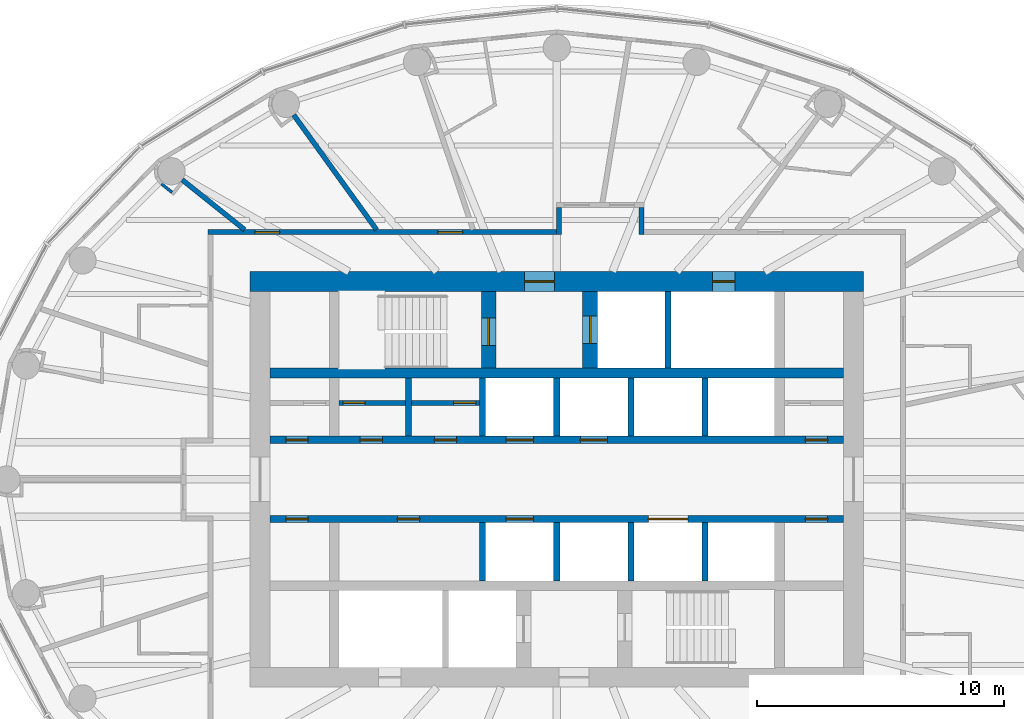
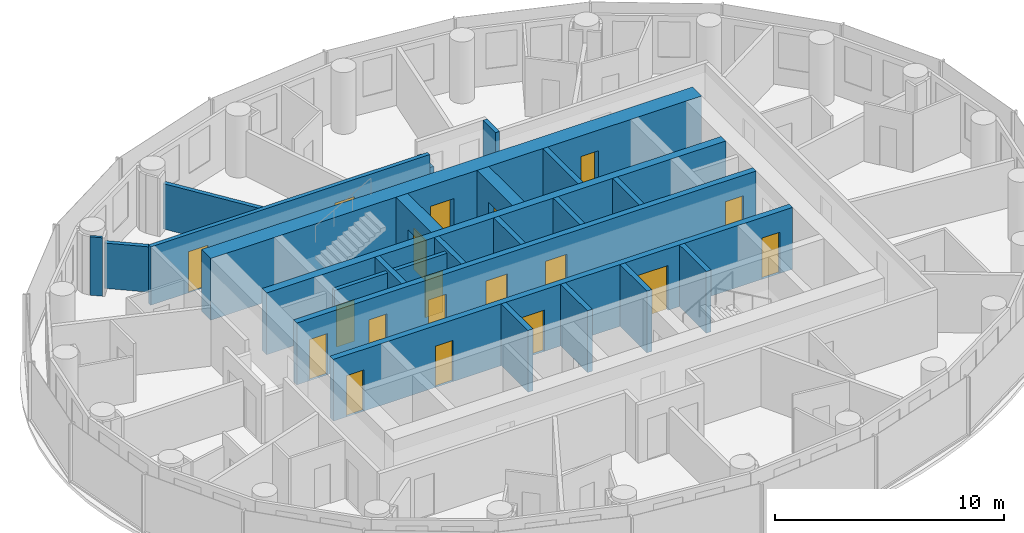
# One storey, part 9 of 13: 24 walls, 19 doors, 19 openings.
"""IFC4 building model written with IfcOpenShell, lengths in metres."""

from ifc_helpers import new_model, si_unit, direction, frame, frame_2d, origin, place, context, subcontext, project, spatial, rectangle, extrude, material, layer, layer_set, type_object, element, fill, save


model = new_model("IFC4")

# Units and contexts
model_context = context("Model", 3, precision=1e-05, world=origin(), true_north=direction((0.0, 1.0)))
body_context = subcontext(model_context, "Body", "Model", "MODEL_VIEW")
ifc_project = project(units=[si_unit("LENGTHUNIT", "METRE"), si_unit("AREAUNIT", "SQUARE_METRE"), si_unit("VOLUMEUNIT", "CUBIC_METRE"), si_unit("PLANEANGLEUNIT", "RADIAN"), si_unit("MASSUNIT", "GRAM", prefix="KILO")], contexts=[model_context])

# Site, building, storey
site_placement = place(None, origin())
site = spatial("IfcSite", under=ifc_project, at=site_placement, CompositionType="ELEMENT")
building_placement = place(site_placement, origin())
building = spatial("IfcBuilding", under=site, at=building_placement, Name="Hankou Lantern Tower", CompositionType="ELEMENT")
storey_placement = place(building_placement, frame((0.0, 0.0, 163.199951171875)))
storey = spatial("IfcBuildingStorey", under=building, at=storey_placement, Name="L43", CompositionType="ELEMENT", Elevation=163.199951171875)

# Wall, openings, doors
ifc_material_1 = material(Name="Concrete C60", Category="concrete")
ifc_layer_1 = layer(ifc_material_1, 0.800048828125)
ifc_layer_set_1 = layer_set([ifc_layer_1], Name="Concrete C60")
wall_type_1 = type_object("IfcWallType", Name="CW2 CORE WALL 800", PredefinedType="SHEAR", material=ifc_layer_set_1)
wall_1_placement = place(storey_placement, frame((-12.39990234375, 8.0, 0.0), z_axis=(0.0, 0.0, 1.0), x_axis=(1.0, 0.0, 0.0)))
wall_1 = element("IfcWall", 1, at=wall_1_placement, inside=storey, type_object=wall_type_1, Name="Core wall north L43", PredefinedType="SHEAR", context=body_context, shape_type="SweptSolid", body=[
    extrude(rectangle(XDim=24.7998046875, YDim=0.800048828125, at=frame_2d((12.39990234375, 0.0))), origin(), (0.0, 0.0, 1.0), 3.300048828125),
])
opening_1_placement = place(wall_1_placement, frame((11.10009765625, 0.0, 0.0)))
opening_1 = element("IfcOpeningElement", 2, at=opening_1_placement, cuts=wall_1, Name="Opening D5", PredefinedType="OPENING", context=body_context, shape_type="SweptSolid", body=[
    extrude(rectangle(XDim=1.199951171875, YDim=2.199951171875, at=frame_2d((0.60009765625, 1.10009765625))), frame((0.0, 0.409912109375, 0.0), z_axis=(0.0, -1.0, 0.0), x_axis=(1.0, 0.0, 0.0)), (0.0, 0.0, 1.0), 0.820068359375),
])
opening_2_placement = place(wall_1_placement, frame((18.699951171875, 0.0, 0.0)))
opening_2 = element("IfcOpeningElement", 3, at=opening_2_placement, cuts=wall_1, Name="Opening D7", PredefinedType="OPENING", context=body_context, shape_type="SweptSolid", body=[
    extrude(rectangle(XDim=0.89990234375, YDim=2.199951171875, at=frame_2d((0.449951171875, 1.10009765625))), frame((0.0, 0.409912109375, 0.0), z_axis=(0.0, -1.0, 0.0), x_axis=(1.0, 0.0, 0.0)), (0.0, 0.0, 1.0), 0.820068359375),
])
ifc_material_2 = material(Name="Steel door leaf", Category="steel")
door_type_1 = type_object("IfcDoorType", Name="D5 STAIR LOBBY DOOR 1200X2200", OperationType="SINGLE_SWING_LEFT", PredefinedType="DOOR", material=ifc_material_2)
door_1_placement = place(opening_1_placement, origin())
door_1 = element("IfcDoor", 4, at=door_1_placement, inside=storey, type_object=door_type_1, Name="Stair A lobby door", OperationType="SINGLE_SWING_LEFT", OverallHeight=2.199951171875, OverallWidth=1.199951171875, PredefinedType="DOOR", context=body_context, shape_type="SweptSolid", body=[
    extrude(rectangle(XDim=1.199951171875, YDim=2.199951171875, at=frame_2d((0.60009765625, 1.10009765625))), frame((0.0, 0.02490234375, 0.0), z_axis=(0.0, -1.0, 0.0), x_axis=(1.0, 0.0, 0.0)), (0.0, 0.0, 1.0), 0.050048828125),
])
fill(opening_1, door_1)
ifc_material_3 = material(Name="Steel door leaf", Category="steel")
door_type_2 = type_object("IfcDoorType", Name="D7 RISER DOOR 900X2200", OperationType="SINGLE_SWING_LEFT", PredefinedType="DOOR", material=ifc_material_3)
door_2_placement = place(opening_2_placement, origin())
door_2 = element("IfcDoor", 5, at=door_2_placement, inside=storey, type_object=door_type_2, Name="Riser N1 door", OperationType="SINGLE_SWING_RIGHT", OverallHeight=2.199951171875, OverallWidth=0.89990234375, PredefinedType="DOOR", context=body_context, shape_type="SweptSolid", body=[
    extrude(rectangle(XDim=0.89990234375, YDim=2.199951171875, at=frame_2d((0.449951171875, 1.10009765625))), frame((0.0, 0.02490234375, 0.0), z_axis=(0.0, -1.0, 0.0), x_axis=(1.0, 0.0, 0.0)), (0.0, 0.0, 1.0), 0.050048828125),
])
fill(opening_2, door_2)

# Wall
ifc_material_4 = material(Name="Concrete C60", Category="concrete")
ifc_layer_2 = layer(ifc_material_4, 0.39990234375)
ifc_layer_set_2 = layer_set([ifc_layer_2], Name="Concrete C60")
wall_type_2 = type_object("IfcWallType", Name="CW4 CORE CROSS WALL 400", PredefinedType="SHEAR", material=ifc_layer_set_2)
wall_2_placement = place(storey_placement, frame((-11.60009765625, 4.300048828125, 0.0), z_axis=(0.0, 0.0, 1.0), x_axis=(1.0, 0.0, 0.0)))
element("IfcWall", 6, at=wall_2_placement, inside=storey, type_object=wall_type_2, Name="Core band wall north L43", PredefinedType="SHEAR", context=body_context, shape_type="SweptSolid", body=[
    extrude(rectangle(XDim=23.2001953125, YDim=0.39990234375, at=frame_2d((11.60009765625, 0.0))), origin(), (0.0, 0.0, 1.0), 3.300048828125),
])

# Wall, openings, doors
ifc_material_5 = material(Name="Concrete C60", Category="concrete")
ifc_layer_3 = layer(ifc_material_5, 0.300048828125)
ifc_layer_set_3 = layer_set([ifc_layer_3], Name="Concrete C60")
wall_type_3 = type_object("IfcWallType", Name="CW5 LIFT LOBBY WALL 300", PredefinedType="SHEAR", material=ifc_layer_set_3)
wall_3_placement = place(storey_placement, frame((-11.60009765625, 1.60009765625, 0.0), z_axis=(0.0, 0.0, 1.0), x_axis=(1.0, 0.0, 0.0)))
wall_3 = element("IfcWall", 7, at=wall_3_placement, inside=storey, type_object=wall_type_3, Name="Lift lobby wall north L43", PredefinedType="SHEAR", context=body_context, shape_type="SweptSolid", body=[
    extrude(rectangle(XDim=23.2001953125, YDim=0.300048828125, at=frame_2d((11.60009765625, 0.0))), origin(), (0.0, 0.0, 1.0), 3.300048828125),
])
opening_3_placement = place(wall_3_placement, frame((9.550048828125, 0.0, 0.0)))
opening_3 = element("IfcOpeningElement", 8, at=opening_3_placement, cuts=wall_3, Name="Opening LD1", PredefinedType="OPENING", context=body_context, shape_type="SweptSolid", body=[
    extrude(rectangle(XDim=1.10009765625, YDim=2.199951171875, at=frame_2d((0.550048828125, 1.10009765625))), frame((0.0, 0.159912109375, 0.0), z_axis=(0.0, -1.0, 0.0), x_axis=(1.0, 0.0, 0.0)), (0.0, 0.0, 1.0), 0.320068359375),
])
opening_4_placement = place(wall_3_placement, frame((12.550048828125, 0.0, 0.0)))
opening_4 = element("IfcOpeningElement", 9, at=opening_4_placement, cuts=wall_3, Name="Opening LD1", PredefinedType="OPENING", context=body_context, shape_type="SweptSolid", body=[
    extrude(rectangle(XDim=1.10009765625, YDim=2.199951171875, at=frame_2d((0.550048828125, 1.10009765625))), frame((0.0, 0.159912109375, 0.0), z_axis=(0.0, -1.0, 0.0), x_axis=(1.0, 0.0, 0.0)), (0.0, 0.0, 1.0), 0.320068359375),
])
opening_5_placement = place(wall_3_placement, frame((0.64990234375, 0.0, 0.0)))
opening_5 = element("IfcOpeningElement", 10, at=opening_5_placement, cuts=wall_3, Name="Opening D30", PredefinedType="OPENING", context=body_context, shape_type="SweptSolid", body=[
    extrude(rectangle(XDim=0.89990234375, YDim=2.199951171875, at=frame_2d((0.449951171875, 1.10009765625))), frame((0.0, 0.159912109375, 0.0), z_axis=(0.0, -1.0, 0.0), x_axis=(1.0, 0.0, 0.0)), (0.0, 0.0, 1.0), 0.320068359375),
])
opening_6_placement = place(wall_3_placement, frame((21.64990234375, 0.0, 0.0)))
opening_6 = element("IfcOpeningElement", 11, at=opening_6_placement, cuts=wall_3, Name="Opening D30", PredefinedType="OPENING", context=body_context, shape_type="SweptSolid", body=[
    extrude(rectangle(XDim=0.89990234375, YDim=2.199951171875, at=frame_2d((0.449951171875, 1.10009765625))), frame((0.0, 0.159912109375, 0.0), z_axis=(0.0, -1.0, 0.0), x_axis=(1.0, 0.0, 0.0)), (0.0, 0.0, 1.0), 0.320068359375),
])
opening_7_placement = place(wall_3_placement, frame((3.64990234375, 0.0, 0.0)))
opening_7 = element("IfcOpeningElement", 12, at=opening_7_placement, cuts=wall_3, Name="Opening D30", PredefinedType="OPENING", context=body_context, shape_type="SweptSolid", body=[
    extrude(rectangle(XDim=0.89990234375, YDim=2.199951171875, at=frame_2d((0.449951171875, 1.10009765625))), frame((0.0, 0.159912109375, 0.0), z_axis=(0.0, -1.0, 0.0), x_axis=(1.0, 0.0, 0.0)), (0.0, 0.0, 1.0), 0.320068359375),
])
opening_8_placement = place(wall_3_placement, frame((6.64990234375, 0.0, 0.0)))
opening_8 = element("IfcOpeningElement", 13, at=opening_8_placement, cuts=wall_3, Name="Opening D30", PredefinedType="OPENING", context=body_context, shape_type="SweptSolid", body=[
    extrude(rectangle(XDim=0.89990234375, YDim=2.199951171875, at=frame_2d((0.449951171875, 1.10009765625))), frame((0.0, 0.159912109375, 0.0), z_axis=(0.0, -1.0, 0.0), x_axis=(1.0, 0.0, 0.0)), (0.0, 0.0, 1.0), 0.320068359375),
])
ifc_material_6 = material(Name="Steel door leaf", Category="steel")
door_type_3 = type_object("IfcDoorType", Name="D30 CORE ROOM DOOR 900X2200", OperationType="SINGLE_SWING_LEFT", PredefinedType="DOOR", material=ifc_material_6)
door_3_placement = place(opening_5_placement, origin())
door_3 = element("IfcDoor", 14, at=door_3_placement, inside=storey, type_object=door_type_3, Name="Engineering store door", OperationType="SINGLE_SWING_LEFT", OverallHeight=2.199951171875, OverallWidth=0.89990234375, PredefinedType="DOOR", context=body_context, shape_type="SweptSolid", body=[
    extrude(rectangle(XDim=0.89990234375, YDim=2.199951171875, at=frame_2d((0.449951171875, 1.10009765625))), frame((0.0, 0.02490234375, 0.0), z_axis=(0.0, -1.0, 0.0), x_axis=(1.0, 0.0, 0.0)), (0.0, 0.0, 1.0), 0.050048828125),
])
fill(opening_5, door_3)
door_4_placement = place(opening_6_placement, origin())
door_4 = element("IfcDoor", 15, at=door_4_placement, inside=storey, type_object=door_type_3, Name="Cleaner's store door", OperationType="SINGLE_SWING_RIGHT", OverallHeight=2.199951171875, OverallWidth=0.89990234375, PredefinedType="DOOR", context=body_context, shape_type="SweptSolid", body=[
    extrude(rectangle(XDim=0.89990234375, YDim=2.199951171875, at=frame_2d((0.449951171875, 1.10009765625))), frame((0.0, 0.02490234375, 0.0), z_axis=(0.0, -1.0, 0.0), x_axis=(1.0, 0.0, 0.0)), (0.0, 0.0, 1.0), 0.050048828125),
])
fill(opening_6, door_4)
door_5_placement = place(opening_7_placement, origin())
door_5 = element("IfcDoor", 16, at=door_5_placement, inside=storey, type_object=door_type_3, Name="Guest pantry and ice room door", OperationType="SINGLE_SWING_LEFT", OverallHeight=2.199951171875, OverallWidth=0.89990234375, PredefinedType="DOOR", context=body_context, shape_type="SweptSolid", body=[
    extrude(rectangle(XDim=0.89990234375, YDim=2.199951171875, at=frame_2d((0.449951171875, 1.10009765625))), frame((0.0, 0.02490234375, 0.0), z_axis=(0.0, -1.0, 0.0), x_axis=(1.0, 0.0, 0.0)), (0.0, 0.0, 1.0), 0.050048828125),
])
fill(opening_7, door_5)
door_6_placement = place(opening_8_placement, origin())
door_6 = element("IfcDoor", 17, at=door_6_placement, inside=storey, type_object=door_type_3, Name="Room service pantry door", OperationType="SINGLE_SWING_LEFT", OverallHeight=2.199951171875, OverallWidth=0.89990234375, PredefinedType="DOOR", context=body_context, shape_type="SweptSolid", body=[
    extrude(rectangle(XDim=0.89990234375, YDim=2.199951171875, at=frame_2d((0.449951171875, 1.10009765625))), frame((0.0, 0.02490234375, 0.0), z_axis=(0.0, -1.0, 0.0), x_axis=(1.0, 0.0, 0.0)), (0.0, 0.0, 1.0), 0.050048828125),
])
fill(opening_8, door_6)
ifc_material_7 = material(Name="Steel door leaf", Category="steel")
door_type_4 = type_object("IfcDoorType", Name="LD1 LIFT LANDING DOOR 1100X2200", OperationType="DOUBLE_DOOR_SLIDING", PredefinedType="DOOR", material=ifc_material_7)
door_7_placement = place(opening_3_placement, origin())
door_7 = element("IfcDoor", 18, at=door_7_placement, inside=storey, type_object=door_type_4, Name="Lift H1 landing door", OperationType="DOUBLE_DOOR_SLIDING", OverallHeight=2.199951171875, OverallWidth=1.10009765625, PredefinedType="DOOR", context=body_context, shape_type="SweptSolid", body=[
    extrude(rectangle(XDim=1.10009765625, YDim=2.199951171875, at=frame_2d((0.550048828125, 1.10009765625))), frame((0.0, 0.02490234375, 0.0), z_axis=(0.0, -1.0, 0.0), x_axis=(1.0, 0.0, 0.0)), (0.0, 0.0, 1.0), 0.050048828125),
])
fill(opening_3, door_7)
door_8_placement = place(opening_4_placement, origin())
door_8 = element("IfcDoor", 19, at=door_8_placement, inside=storey, type_object=door_type_4, Name="Lift H2 landing door", OperationType="DOUBLE_DOOR_SLIDING", OverallHeight=2.199951171875, OverallWidth=1.10009765625, PredefinedType="DOOR", context=body_context, shape_type="SweptSolid", body=[
    extrude(rectangle(XDim=1.10009765625, YDim=2.199951171875, at=frame_2d((0.550048828125, 1.10009765625))), frame((0.0, 0.02490234375, 0.0), z_axis=(0.0, -1.0, 0.0), x_axis=(1.0, 0.0, 0.0)), (0.0, 0.0, 1.0), 0.050048828125),
])
fill(opening_4, door_8)

wall_4_placement = place(storey_placement, frame((-11.60009765625, -1.60009765625, 0.0), z_axis=(0.0, 0.0, 1.0), x_axis=(1.0, 0.0, 0.0)))
wall_4 = element("IfcWall", 20, at=wall_4_placement, inside=storey, type_object=wall_type_3, Name="Lift lobby wall south L43", PredefinedType="SHEAR", context=body_context, shape_type="SweptSolid", body=[
    extrude(rectangle(XDim=23.2001953125, YDim=0.300048828125, at=frame_2d((11.60009765625, 0.0))), origin(), (0.0, 0.0, 1.0), 3.300048828125),
])
opening_9_placement = place(wall_4_placement, frame((9.550048828125, 0.0, 0.0)))
opening_9 = element("IfcOpeningElement", 21, at=opening_9_placement, cuts=wall_4, Name="Opening LD1", PredefinedType="OPENING", context=body_context, shape_type="SweptSolid", body=[
    extrude(rectangle(XDim=1.10009765625, YDim=2.199951171875, at=frame_2d((0.550048828125, 1.10009765625))), frame((0.0, 0.159912109375, 0.0), z_axis=(0.0, -1.0, 0.0), x_axis=(1.0, 0.0, 0.0)), (0.0, 0.0, 1.0), 0.320068359375),
])
opening_10_placement = place(wall_4_placement, frame((15.300048828125, 0.0, 0.0)))
opening_10 = element("IfcOpeningElement", 22, at=opening_10_placement, cuts=wall_4, Name="Opening LD4", PredefinedType="OPENING", context=body_context, shape_type="SweptSolid", body=[
    extrude(rectangle(XDim=1.60009765625, YDim=2.39990234375, at=frame_2d((0.800048828125, 1.199951171875))), frame((0.0, 0.159912109375, 0.0), z_axis=(0.0, -1.0, 0.0), x_axis=(1.0, 0.0, 0.0)), (0.0, 0.0, 1.0), 0.320068359375),
])
opening_11_placement = place(wall_4_placement, frame((0.64990234375, 0.0, 0.0)))
opening_11 = element("IfcOpeningElement", 23, at=opening_11_placement, cuts=wall_4, Name="Opening D30", PredefinedType="OPENING", context=body_context, shape_type="SweptSolid", body=[
    extrude(rectangle(XDim=0.89990234375, YDim=2.199951171875, at=frame_2d((0.449951171875, 1.10009765625))), frame((0.0, 0.159912109375, 0.0), z_axis=(0.0, -1.0, 0.0), x_axis=(1.0, 0.0, 0.0)), (0.0, 0.0, 1.0), 0.320068359375),
])
opening_12_placement = place(wall_4_placement, frame((5.14990234375, 0.0, 0.0)))
opening_12 = element("IfcOpeningElement", 24, at=opening_12_placement, cuts=wall_4, Name="Opening D30", PredefinedType="OPENING", context=body_context, shape_type="SweptSolid", body=[
    extrude(rectangle(XDim=0.89990234375, YDim=2.199951171875, at=frame_2d((0.449951171875, 1.10009765625))), frame((0.0, 0.159912109375, 0.0), z_axis=(0.0, -1.0, 0.0), x_axis=(1.0, 0.0, 0.0)), (0.0, 0.0, 1.0), 0.320068359375),
])
opening_13_placement = place(wall_4_placement, frame((21.64990234375, 0.0, 0.0)))
opening_13 = element("IfcOpeningElement", 25, at=opening_13_placement, cuts=wall_4, Name="Opening D30", PredefinedType="OPENING", context=body_context, shape_type="SweptSolid", body=[
    extrude(rectangle(XDim=0.89990234375, YDim=2.199951171875, at=frame_2d((0.449951171875, 1.10009765625))), frame((0.0, 0.159912109375, 0.0), z_axis=(0.0, -1.0, 0.0), x_axis=(1.0, 0.0, 0.0)), (0.0, 0.0, 1.0), 0.320068359375),
])
door_9_placement = place(opening_11_placement, origin())
door_9 = element("IfcDoor", 26, at=door_9_placement, inside=storey, type_object=door_type_3, Name="Minibar store door", OperationType="SINGLE_SWING_LEFT", OverallHeight=2.199951171875, OverallWidth=0.89990234375, PredefinedType="DOOR", context=body_context, shape_type="SweptSolid", body=[
    extrude(rectangle(XDim=0.89990234375, YDim=2.199951171875, at=frame_2d((0.449951171875, 1.10009765625))), frame((0.0, 0.02490234375, 0.0), z_axis=(0.0, -1.0, 0.0), x_axis=(1.0, 0.0, 0.0)), (0.0, 0.0, 1.0), 0.050048828125),
])
fill(opening_11, door_9)
door_10_placement = place(opening_12_placement, origin())
door_10 = element("IfcDoor", 27, at=door_10_placement, inside=storey, type_object=door_type_3, Name="Housekeeping and linen store door", OperationType="SINGLE_SWING_LEFT", OverallHeight=2.199951171875, OverallWidth=0.89990234375, PredefinedType="DOOR", context=body_context, shape_type="SweptSolid", body=[
    extrude(rectangle(XDim=0.89990234375, YDim=2.199951171875, at=frame_2d((0.449951171875, 1.10009765625))), frame((0.0, 0.02490234375, 0.0), z_axis=(0.0, -1.0, 0.0), x_axis=(1.0, 0.0, 0.0)), (0.0, 0.0, 1.0), 0.050048828125),
])
fill(opening_12, door_10)
door_11_placement = place(opening_13_placement, origin())
door_11 = element("IfcDoor", 28, at=door_11_placement, inside=storey, type_object=door_type_3, Name="Vending room door", OperationType="SINGLE_SWING_RIGHT", OverallHeight=2.199951171875, OverallWidth=0.89990234375, PredefinedType="DOOR", context=body_context, shape_type="SweptSolid", body=[
    extrude(rectangle(XDim=0.89990234375, YDim=2.199951171875, at=frame_2d((0.449951171875, 1.10009765625))), frame((0.0, 0.02490234375, 0.0), z_axis=(0.0, -1.0, 0.0), x_axis=(1.0, 0.0, 0.0)), (0.0, 0.0, 1.0), 0.050048828125),
])
fill(opening_13, door_11)
door_12_placement = place(opening_9_placement, origin())
door_12 = element("IfcDoor", 29, at=door_12_placement, inside=storey, type_object=door_type_4, Name="Lift H3 landing door", OperationType="DOUBLE_DOOR_SLIDING", OverallHeight=2.199951171875, OverallWidth=1.10009765625, PredefinedType="DOOR", context=body_context, shape_type="SweptSolid", body=[
    extrude(rectangle(XDim=1.10009765625, YDim=2.199951171875, at=frame_2d((0.550048828125, 1.10009765625))), frame((0.0, 0.02490234375, 0.0), z_axis=(0.0, -1.0, 0.0), x_axis=(1.0, 0.0, 0.0)), (0.0, 0.0, 1.0), 0.050048828125),
])
fill(opening_9, door_12)
ifc_material_8 = material(Name="Steel door leaf", Category="steel")
door_type_5 = type_object("IfcDoorType", Name="LD4 SERVICE LIFT LANDING DOOR 1600X2400", OperationType="DOUBLE_DOOR_SLIDING", PredefinedType="DOOR", material=ifc_material_8)
door_13_placement = place(opening_10_placement, origin())
door_13 = element("IfcDoor", 30, at=door_13_placement, inside=storey, type_object=door_type_5, Name="Lift SV1 landing door", OperationType="DOUBLE_DOOR_SLIDING", OverallHeight=2.39990234375, OverallWidth=1.60009765625, PredefinedType="DOOR", context=body_context, shape_type="SweptSolid", body=[
    extrude(rectangle(XDim=1.60009765625, YDim=2.39990234375, at=frame_2d((0.800048828125, 1.199951171875))), frame((0.0, 0.02490234375, 0.0), z_axis=(0.0, -1.0, 0.0), x_axis=(1.0, 0.0, 0.0)), (0.0, 0.0, 1.0), 0.050048828125),
])
fill(opening_10, door_13)

# Wall, opening, door
ifc_material_9 = material(Name="Concrete C60", Category="concrete")
ifc_layer_4 = layer(ifc_material_9, 0.60009765625)
ifc_layer_set_4 = layer_set([ifc_layer_4], Name="Concrete C60")
wall_type_4 = type_object("IfcWallType", Name="CW6 STAIR AND SHAFT WALL 600", PredefinedType="SHEAR", material=ifc_layer_set_4)
wall_5_placement = place(storey_placement, frame((-2.75, 4.5, 0.0), z_axis=(0.0, 0.0, 1.0), x_axis=(0.0, 1.0, 0.0)))
wall_5 = element("IfcWall", 31, at=wall_5_placement, inside=storey, type_object=wall_type_4, Name="Stair wall L43", PredefinedType="SHEAR", context=body_context, shape_type="SweptSolid", body=[
    extrude(rectangle(XDim=3.10009765625, YDim=0.60009765625, at=frame_2d((1.550048828125, 0.0))), origin(), (0.0, 0.0, 1.0), 3.300048828125),
])
opening_14_placement = place(wall_5_placement, frame((0.925048828125, 0.0, 0.0)))
opening_14 = element("IfcOpeningElement", 32, at=opening_14_placement, cuts=wall_5, Name="Opening D4", PredefinedType="OPENING", context=body_context, shape_type="SweptSolid", body=[
    extrude(rectangle(XDim=1.10009765625, YDim=2.199951171875, at=frame_2d((0.550048828125, 1.10009765625))), frame((0.0, 0.31005859375, 0.0), z_axis=(0.0, -1.0, 0.0), x_axis=(1.0, 0.0, 0.0)), (0.0, 0.0, 1.0), 0.6201171875),
])
ifc_material_10 = material(Name="Steel door leaf", Category="steel")
door_type_6 = type_object("IfcDoorType", Name="D4 STAIR DOOR 1100X2200", OperationType="SINGLE_SWING_LEFT", PredefinedType="DOOR", material=ifc_material_10)
door_14_placement = place(opening_14_placement, origin())
door_14 = element("IfcDoor", 33, at=door_14_placement, inside=storey, type_object=door_type_6, Name="Stair A door", OperationType="SINGLE_SWING_LEFT", OverallHeight=2.199951171875, OverallWidth=1.10009765625, PredefinedType="DOOR", context=body_context, shape_type="SweptSolid", body=[
    extrude(rectangle(XDim=1.10009765625, YDim=2.199951171875, at=frame_2d((0.550048828125, 1.10009765625))), frame((0.0, 0.02490234375, 0.0), z_axis=(0.0, -1.0, 0.0), x_axis=(1.0, 0.0, 0.0)), (0.0, 0.0, 1.0), 0.050048828125),
])
fill(opening_14, door_14)

wall_6_placement = place(storey_placement, frame((1.35009765625, 4.5, 0.0), z_axis=(0.0, 0.0, 1.0), x_axis=(0.0, 1.0, 0.0)))
wall_6 = element("IfcWall", 34, at=wall_6_placement, inside=storey, type_object=wall_type_4, Name="Firefighting lift shaft wall L43", PredefinedType="SHEAR", context=body_context, shape_type="SweptSolid", body=[
    extrude(rectangle(XDim=3.10009765625, YDim=0.60009765625, at=frame_2d((1.550048828125, 0.0))), origin(), (0.0, 0.0, 1.0), 3.300048828125),
])
opening_15_placement = place(wall_6_placement, frame((1.0, 0.0, 0.0)))
opening_15 = element("IfcOpeningElement", 35, at=opening_15_placement, cuts=wall_6, Name="Opening LD2", PredefinedType="OPENING", context=body_context, shape_type="SweptSolid", body=[
    extrude(rectangle(XDim=1.10009765625, YDim=2.199951171875, at=frame_2d((0.550048828125, 1.10009765625))), frame((0.0, 0.31005859375, 0.0), z_axis=(0.0, -1.0, 0.0), x_axis=(1.0, 0.0, 0.0)), (0.0, 0.0, 1.0), 0.6201171875),
])
ifc_material_11 = material(Name="Steel door leaf", Category="steel")
door_type_7 = type_object("IfcDoorType", Name="LD2 FIREFIGHTING LIFT LANDING DOOR 1100X2200", OperationType="DOUBLE_DOOR_SLIDING", PredefinedType="DOOR", material=ifc_material_11)
door_15_placement = place(opening_15_placement, origin())
door_15 = element("IfcDoor", 36, at=door_15_placement, inside=storey, type_object=door_type_7, Name="Firefighting lift FL1 landing door", OperationType="DOUBLE_DOOR_SLIDING", OverallHeight=2.199951171875, OverallWidth=1.10009765625, PredefinedType="DOOR", context=body_context, shape_type="SweptSolid", body=[
    extrude(rectangle(XDim=1.10009765625, YDim=2.199951171875, at=frame_2d((0.550048828125, 1.10009765625))), frame((0.0, 0.02490234375, 0.0), z_axis=(0.0, -1.0, 0.0), x_axis=(1.0, 0.0, 0.0)), (0.0, 0.0, 1.0), 0.050048828125),
])
fill(opening_15, door_15)

# Walls
ifc_material_12 = material(Name="Masonry lightweight concrete block", Category="masonry")
ifc_layer_5 = layer(ifc_material_12, 0.199951171875)
ifc_layer_set_5 = layer_set([ifc_layer_5], Name="Masonry lightweight concrete block")
wall_type_5 = type_object("IfcWallType", Name="IW2 CORRIDOR WALL 200", PredefinedType="PARTITIONING", material=ifc_layer_set_5)
wall_7_placement = place(storey_placement, frame((0.093994140625, 9.89990234375, 0.0), z_axis=(0.0, 0.0, 1.0), x_axis=(0.0, 1.0, 0.0)))
element("IfcWall", 37, at=wall_7_placement, inside=storey, type_object=wall_type_5, Name="Corridor alcove wall 4314-4315 left", PredefinedType="PARTITIONING", context=body_context, shape_type="SweptSolid", body=[
    extrude(rectangle(XDim=1.10009765625, YDim=0.199951171875, at=frame_2d((0.550048828125, 0.0))), origin(), (0.0, 0.0, 1.0), 2.420166015625),
])
wall_8_placement = place(storey_placement, frame((3.418212890625, 9.89990234375, 0.0), z_axis=(0.0, 0.0, 1.0), x_axis=(0.0, 1.0, 0.0)))
element("IfcWall", 38, at=wall_8_placement, inside=storey, type_object=wall_type_5, Name="Corridor alcove wall 4314-4315 right", PredefinedType="PARTITIONING", context=body_context, shape_type="SweptSolid", body=[
    extrude(rectangle(XDim=1.10009765625, YDim=0.199951171875, at=frame_2d((0.550048828125, 0.0))), origin(), (0.0, 0.0, 1.0), 3.1201171875),
])

# Wall, openings, doors
wall_9_placement = place(storey_placement, frame((-14.10009765625, 10.0, 0.0), z_axis=(0.0, 0.0, 1.0), x_axis=(1.0, 0.0, 0.0)))
wall_9 = element("IfcWall", 39, at=wall_9_placement, inside=storey, type_object=wall_type_5, Name="Corridor wall north", PredefinedType="PARTITIONING", context=body_context, shape_type="SweptSolid", body=[
    extrude(rectangle(XDim=14.09423828125, YDim=0.199951171875, at=frame_2d((7.047119140625, 0.0))), origin(), (0.0, 0.0, 1.0), 3.1201171875),
])
opening_16_placement = place(wall_9_placement, frame((1.89501953125, 0.0, 0.0)))
opening_16 = element("IfcOpeningElement", 40, at=opening_16_placement, cuts=wall_9, Name="Opening D28", PredefinedType="OPENING", context=body_context, shape_type="SweptSolid", body=[
    extrude(rectangle(XDim=1.0, YDim=2.199951171875, at=frame_2d((0.5, 1.10009765625))), frame((0.0, 0.10986328125, 0.0), z_axis=(0.0, -1.0, 0.0), x_axis=(1.0, 0.0, 0.0)), (0.0, 0.0, 1.0), 0.219970703125),
])
opening_17_placement = place(wall_9_placement, frame((9.297119140625, 0.0, 0.0)))
opening_17 = element("IfcOpeningElement", 41, at=opening_17_placement, cuts=wall_9, Name="Opening D28", PredefinedType="OPENING", context=body_context, shape_type="SweptSolid", body=[
    extrude(rectangle(XDim=1.0, YDim=2.199951171875, at=frame_2d((0.5, 1.10009765625))), frame((0.0, 0.10986328125, 0.0), z_axis=(0.0, -1.0, 0.0), x_axis=(1.0, 0.0, 0.0)), (0.0, 0.0, 1.0), 0.219970703125),
])
ifc_material_13 = material(Name="Steel door leaf", Category="steel")
door_type_8 = type_object("IfcDoorType", Name="D28 SERVICE DOOR 1000X2200", OperationType="SINGLE_SWING_LEFT", PredefinedType="DOOR", material=ifc_material_13)
door_16_placement = place(opening_16_placement, origin())
door_16 = element("IfcDoor", 42, at=door_16_placement, inside=storey, type_object=door_type_8, Name="Service door 4301", OperationType="SINGLE_SWING_RIGHT", OverallHeight=2.199951171875, OverallWidth=1.0, PredefinedType="DOOR", context=body_context, shape_type="SweptSolid", body=[
    extrude(rectangle(XDim=1.0, YDim=2.199951171875, at=frame_2d((0.5, 1.10009765625))), frame((0.0, 0.02490234375, 0.0), z_axis=(0.0, -1.0, 0.0), x_axis=(1.0, 0.0, 0.0)), (0.0, 0.0, 1.0), 0.050048828125),
])
fill(opening_16, door_16)
door_17_placement = place(opening_17_placement, origin())
door_17 = element("IfcDoor", 43, at=door_17_placement, inside=storey, type_object=door_type_8, Name="Service door 4316", OperationType="SINGLE_SWING_RIGHT", OverallHeight=2.199951171875, OverallWidth=1.0, PredefinedType="DOOR", context=body_context, shape_type="SweptSolid", body=[
    extrude(rectangle(XDim=1.0, YDim=2.199951171875, at=frame_2d((0.5, 1.10009765625))), frame((0.0, 0.02490234375, 0.0), z_axis=(0.0, -1.0, 0.0), x_axis=(1.0, 0.0, 0.0)), (0.0, 0.0, 1.0), 0.050048828125),
])
fill(opening_17, door_17)

# Walls
ifc_material_14 = material(Name="Masonry lightweight concrete block", Category="masonry")
ifc_layer_6 = layer(ifc_material_14, 0.1201171875)
ifc_layer_set_6 = layer_set([ifc_layer_6], Name="Masonry lightweight concrete block")
wall_type_6 = type_object("IfcWallType", Name="IW4 PARTITION 120", PredefinedType="PARTITIONING", material=ifc_layer_set_6)
wall_10_placement = place(storey_placement, frame((-15.55419921875, 11.60791015625, 0.0), z_axis=(0.0, 0.0, 1.0), x_axis=(-0.780695577787, 0.624911525597, 0.0)))
element("IfcWall", 44, at=wall_10_placement, inside=storey, type_object=wall_type_6, Name="Column casing R10", PredefinedType="PARTITIONING", context=body_context, shape_type="SweptSolid", body=[
    extrude(rectangle(XDim=0.550048828125, YDim=0.1201171875, at=frame_2d((0.27490234375, 0.0))), origin(), (0.0, 0.0, 1.0), 3.1201171875),
])
ifc_material_15 = material(Name="Masonry lightweight concrete block", Category="masonry")
ifc_layer_7 = layer(ifc_material_15, 0.199951171875)
ifc_layer_set_7 = layer_set([ifc_layer_7], Name="Masonry lightweight concrete block")
wall_type_7 = type_object("IfcWallType", Name="IW8 PARTITION 200", PredefinedType="PARTITIONING", material=ifc_layer_set_7)
wall_11_placement = place(storey_placement, frame((-7.2890625, 10.10009765625, 0.0), z_axis=(0.0, 0.0, 1.0), x_axis=(-0.585222595178, 0.810872686735, 0.0)))
element("IfcWall", 45, at=wall_11_placement, inside=storey, type_object=wall_type_7, Name="Partition R09", PredefinedType="PARTITIONING", context=body_context, shape_type="SweptSolid", body=[
    extrude(rectangle(XDim=5.722412109375, YDim=0.199951171875, at=frame_2d((2.861328125, 0.0))), origin(), (0.0, 0.0, 1.0), 2.420166015625),
])
wall_12_placement = place(storey_placement, frame((-12.625, 10.10009765625, 0.0), z_axis=(0.0, 0.0, 1.0), x_axis=(-0.780876185034, 0.624685827954, 0.0)))
element("IfcWall", 46, at=wall_12_placement, inside=storey, type_object=wall_type_7, Name="Partition R10", PredefinedType="PARTITIONING", context=body_context, shape_type="SweptSolid", body=[
    extrude(rectangle(XDim=3.229248046875, YDim=0.199951171875, at=frame_2d((1.61474609375, 0.0))), origin(), (0.0, 0.0, 1.0), 2.420166015625),
])

# Wall, opening, door
wall_13_placement = place(storey_placement, frame((-8.800048828125, 3.10009765625, 0.0), z_axis=(0.0, 0.0, 1.0), x_axis=(1.0, 0.0, 0.0)))
wall_13 = element("IfcWall", 47, at=wall_13_placement, inside=storey, type_object=wall_type_7, Name="Partition guest pantry and ice room", PredefinedType="PARTITIONING", context=body_context, shape_type="SweptSolid", body=[
    extrude(rectangle(XDim=2.675048828125, YDim=0.199951171875, at=frame_2d((1.33740234375, 0.0))), origin(), (0.0, 0.0, 1.0), 3.1201171875),
])
opening_18_placement = place(wall_13_placement, frame((0.14990234375, 0.0, 0.0)))
opening_18 = element("IfcOpeningElement", 48, at=opening_18_placement, cuts=wall_13, Name="Opening D12", PredefinedType="OPENING", context=body_context, shape_type="SweptSolid", body=[
    extrude(rectangle(XDim=0.89990234375, YDim=2.199951171875, at=frame_2d((0.449951171875, 1.10009765625))), frame((0.0, 0.10986328125, 0.0), z_axis=(0.0, -1.0, 0.0), x_axis=(1.0, 0.0, 0.0)), (0.0, 0.0, 1.0), 0.219970703125),
])
ifc_material_16 = material(Name="Steel door leaf", Category="steel")
door_type_9 = type_object("IfcDoorType", Name="D12 STORE DOOR 900X2200", OperationType="SINGLE_SWING_LEFT", PredefinedType="DOOR", material=ifc_material_16)
door_18_placement = place(opening_18_placement, origin())
door_18 = element("IfcDoor", 49, at=door_18_placement, inside=storey, type_object=door_type_9, Name="Ice machine cupboard door", OperationType="SINGLE_SWING_LEFT", OverallHeight=2.199951171875, OverallWidth=0.89990234375, PredefinedType="DOOR", context=body_context, shape_type="SweptSolid", body=[
    extrude(rectangle(XDim=0.89990234375, YDim=2.199951171875, at=frame_2d((0.449951171875, 1.10009765625))), frame((0.0, 0.02490234375, 0.0), z_axis=(0.0, -1.0, 0.0), x_axis=(1.0, 0.0, 0.0)), (0.0, 0.0, 1.0), 0.050048828125),
])
fill(opening_18, door_18)

wall_14_placement = place(storey_placement, frame((-5.875, 3.10009765625, 0.0), z_axis=(0.0, 0.0, 1.0), x_axis=(1.0, 0.0, 0.0)))
wall_14 = element("IfcWall", 50, at=wall_14_placement, inside=storey, type_object=wall_type_7, Name="Partition room service pantry", PredefinedType="PARTITIONING", context=body_context, shape_type="SweptSolid", body=[
    extrude(rectangle(XDim=2.75, YDim=0.199951171875, at=frame_2d((1.375, 0.0))), origin(), (0.0, 0.0, 1.0), 3.1201171875),
])
opening_19_placement = place(wall_14_placement, frame((1.699951171875, 0.0, 0.0)))
opening_19 = element("IfcOpeningElement", 51, at=opening_19_placement, cuts=wall_14, Name="Opening D12", PredefinedType="OPENING", context=body_context, shape_type="SweptSolid", body=[
    extrude(rectangle(XDim=0.89990234375, YDim=2.199951171875, at=frame_2d((0.449951171875, 1.10009765625))), frame((0.0, 0.10986328125, 0.0), z_axis=(0.0, -1.0, 0.0), x_axis=(1.0, 0.0, 0.0)), (0.0, 0.0, 1.0), 0.219970703125),
])
door_19_placement = place(opening_19_placement, origin())
door_19 = element("IfcDoor", 52, at=door_19_placement, inside=storey, type_object=door_type_9, Name="Room service cupboard door", OperationType="SINGLE_SWING_RIGHT", OverallHeight=2.199951171875, OverallWidth=0.89990234375, PredefinedType="DOOR", context=body_context, shape_type="SweptSolid", body=[
    extrude(rectangle(XDim=0.89990234375, YDim=2.199951171875, at=frame_2d((0.449951171875, 1.10009765625))), frame((0.0, 0.02490234375, 0.0), z_axis=(0.0, -1.0, 0.0), x_axis=(1.0, 0.0, 0.0)), (0.0, 0.0, 1.0), 0.050048828125),
])
fill(opening_19, door_19)

# Walls
ifc_material_17 = material(Name="Masonry autoclaved aerated concrete block", Category="masonry")
ifc_layer_8 = layer(ifc_material_17, 0.25)
ifc_layer_set_8 = layer_set([ifc_layer_8], Name="Masonry autoclaved aerated concrete block")
wall_type_8 = type_object("IfcWallType", Name="SW1 SHAFT BLOCK WALL 250", PredefinedType="PARTITIONING", material=ifc_layer_set_8)
wall_15_placement = place(storey_placement, frame((4.5, 4.5, 0.0), z_axis=(0.0, 0.0, 1.0), x_axis=(0.0, 1.0, 0.0)))
element("IfcWall", 53, at=wall_15_placement, inside=storey, type_object=wall_type_8, Name="Riser wall L43", PredefinedType="PARTITIONING", context=body_context, shape_type="SweptSolid", body=[
    extrude(rectangle(XDim=3.10009765625, YDim=0.25, at=frame_2d((1.550048828125, 0.0))), origin(), (0.0, 0.0, 1.0), 3.300048828125),
])
for number, where, z_axis, x_axis, name in (
    (54, (-6.0, 1.75, 0.0), (0.0, 0.0, 1.0), (0.0, 1.0, 0.0), "Lift shaft wall L43"),
    (55, (-3.0, 1.75, 0.0), (0.0, 0.0, 1.0), (0.0, 1.0, 0.0), "Lift shaft wall L43"),
    (56, (0.0, 1.75, 0.0), (0.0, 0.0, 1.0), (0.0, 1.0, 0.0), "Lift shaft wall L43"),
    (57, (3.0, 1.75, 0.0), (0.0, 0.0, 1.0), (0.0, 1.0, 0.0), "Lift shaft wall L43"),
    (58, (6.0, 1.75, 0.0), (0.0, 0.0, 1.0), (0.0, 1.0, 0.0), "Lift shaft wall L43"),
    (59, (-3.0, -4.10009765625, 0.0), (0.0, 0.0, 1.0), (0.0, 1.0, 0.0), "Lift shaft wall L43"),
    (60, (0.0, -4.10009765625, 0.0), (0.0, 0.0, 1.0), (0.0, 1.0, 0.0), "Lift shaft wall L43"),
    (61, (3.0, -4.10009765625, 0.0), (0.0, 0.0, 1.0), (0.0, 1.0, 0.0), "Lift shaft wall L43"),
    (62, (6.0, -4.10009765625, 0.0), (0.0, 0.0, 1.0), (0.0, 1.0, 0.0), "Lift shaft wall L43"),
):
    element("IfcWall", number, at=place(storey_placement, frame(where, z_axis=z_axis, x_axis=x_axis)), inside=storey, type_object=wall_type_8, Name=name, PredefinedType="PARTITIONING", context=body_context, shape_type="SweptSolid", body=[
        extrude(rectangle(XDim=2.35009765625, YDim=0.25, at=frame_2d((1.175048828125, 0.0))), origin(), (0.0, 0.0, 1.0), 3.300048828125),
    ])

save(model, "model.ifc")
